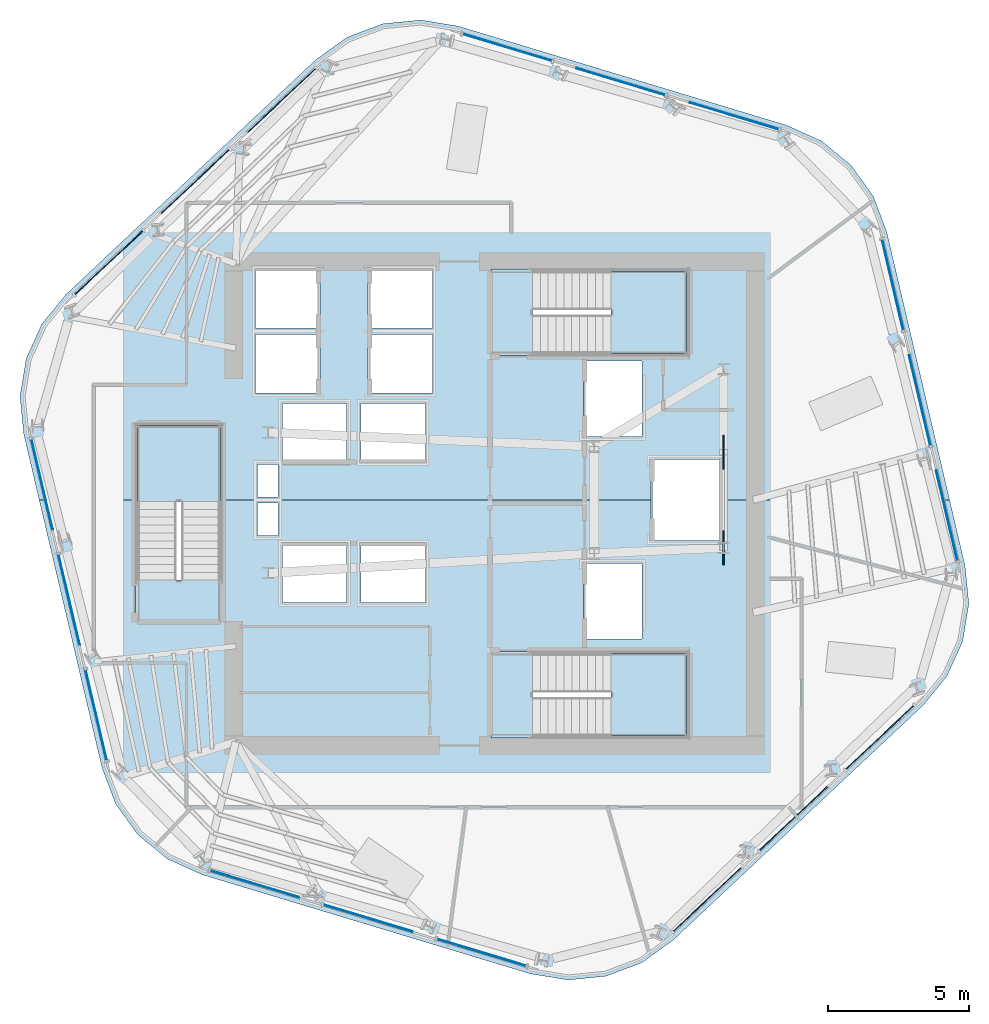
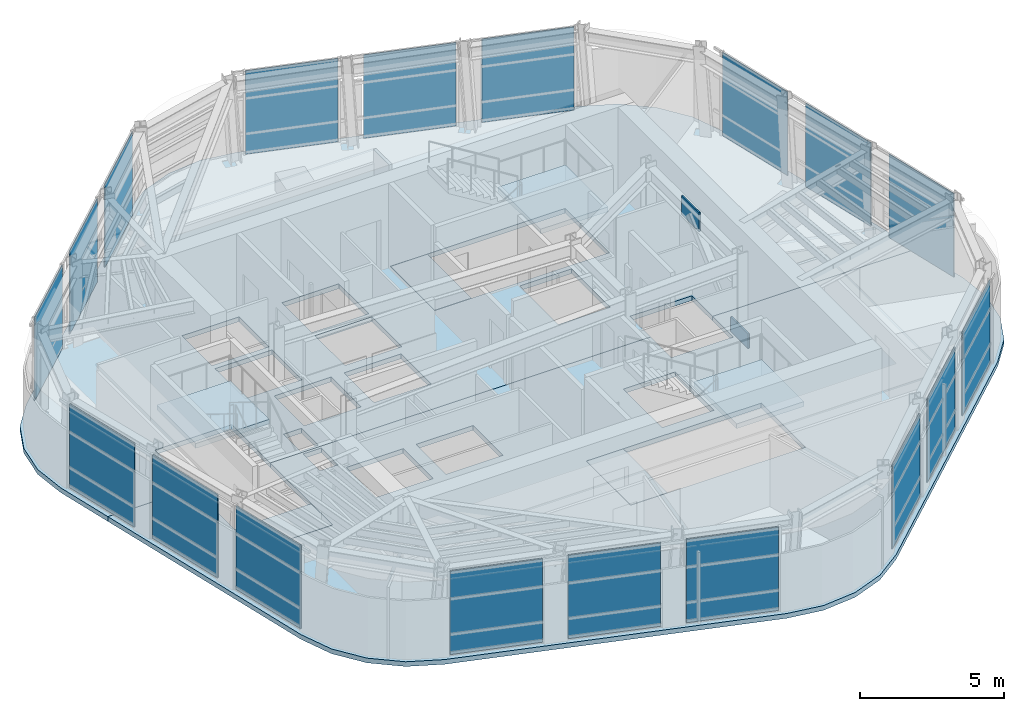
# One storey, part 6 of 14: 20 plates, 8 slabs, 9 elements without a shape of their own.
"""IFC4 building model written with IfcOpenShell, lengths in metres."""

import ifcopenshell
import ifcopenshell.guid

model = None  # the IFC model being written
_history = None  # IfcOwnerHistory: only IFC2X3 demands one
_inside = {}  # id of a spatial element -> (the spatial element, [elements in it])
_under = {}  # id of a project, library or spatial element -> (it, [spatial elements below it])
_declared = {}  # id of a project -> (the project, [libraries it declares])
_typed = {}  # id of a type object -> (the type object, [elements of that type])
_made_of = {}  # id of a material, layer set ... -> (it, [elements and type objects made of it])


def new_model(schema):
    """Start an empty IFC model of exactly this schema.

    Asked for "IFC4X3", IfcOpenShell would pick the latest addendum, in which some entities
    have other attributes; the version numbers below select the first issue.
    IFC2X3 requires an IfcOwnerHistory on every rooted entity: one is made here for all.
    """
    global model, _history
    if schema == "IFC4X3":
        model = ifcopenshell.file(schema_version=(4, 3, 0, 0))
    else:
        model = ifcopenshell.file(schema=schema)
    _inside.clear()
    _under.clear()
    _declared.clear()
    _typed.clear()
    _made_of.clear()
    _history = None
    if model.schema == "IFC2X3":
        org = make("IfcOrganization", Name="unknown")
        user = make(
            "IfcPersonAndOrganization",
            ThePerson=make("IfcPerson", FamilyName="unknown"),
            TheOrganization=org,
        )
        app = make(
            "IfcApplication",
            ApplicationDeveloper=org,
            Version="unknown",
            ApplicationFullName="unknown",
            ApplicationIdentifier="unknown",
        )
        _history = make(
            "IfcOwnerHistory",
            OwningUser=user,
            OwningApplication=app,
            ChangeAction="ADDED",
            CreationDate=0,
        )
    return model


def make(cls, **values):
    """One entity of the class cls with the attributes given. An attribute that is None is left unset."""
    return model.create_entity(
        cls, **{name: value for name, value in values.items() if value is not None}
    )


def rooted(cls, **values):
    """An entity with a GlobalId (a new one), such as an element, a storey or a relation."""
    return make(cls, GlobalId=ifcopenshell.guid.new(), OwnerHistory=_history, **values)


def si_unit(unit_type, name, prefix=None):
    """IfcSIUnit, for example si_unit("LENGTHUNIT", "METRE", prefix="MILLI")."""
    return make("IfcSIUnit", UnitType=unit_type, Prefix=prefix, Name=name)


def assignment(units):
    """IfcUnitAssignment: the units of a project."""
    return None if units is None else make("IfcUnitAssignment", Units=units)


def point(xyz):
    """IfcCartesianPoint."""
    return None if xyz is None else make("IfcCartesianPoint", Coordinates=xyz)


def direction(xyz):
    """IfcDirection."""
    return None if xyz is None else make("IfcDirection", DirectionRatios=xyz)


def frame(location, z_axis=None, x_axis=None):
    """IfcAxis2Placement3D, a coordinate frame: its origin and axes. An axis left out is left unset."""
    return make(
        "IfcAxis2Placement3D",
        Location=point(location),
        Axis=direction(z_axis),
        RefDirection=direction(x_axis),
    )


def frame_2d(location, x_axis=None):
    """IfcAxis2Placement2D, a coordinate frame in the plane: its origin and x axis."""
    return make(
        "IfcAxis2Placement2D", Location=point(location), RefDirection=direction(x_axis)
    )


def origin():
    """The frame at (0, 0, 0) with its axes left unset."""
    return frame((0.0, 0.0, 0.0))


def origin_2d():
    """The frame at (0, 0) in the plane with its x axis left unset."""
    return frame_2d((0.0, 0.0))


def place(relative_to, where):
    """IfcLocalPlacement: puts the frame where relative to a parent placement (None: the world)."""
    return make(
        "IfcLocalPlacement", PlacementRelTo=relative_to, RelativePlacement=where
    )


def context(
    kind, dimensions, precision=None, world=None, true_north=None, identifier=None
):
    """IfcGeometricRepresentationContext, for example the 3D "Model" context."""
    return make(
        "IfcGeometricRepresentationContext",
        ContextIdentifier=identifier,
        ContextType=kind,
        CoordinateSpaceDimension=dimensions,
        Precision=precision,
        WorldCoordinateSystem=world,
        TrueNorth=true_north,
    )


def subcontext(parent, identifier, kind, view, scale=None):
    """IfcGeometricRepresentationSubContext, for example "Body" below "Model"."""
    return make(
        "IfcGeometricRepresentationSubContext",
        ContextIdentifier=identifier,
        ContextType=kind,
        ParentContext=parent,
        TargetScale=scale,
        TargetView=view,
    )


def project(units=None, contexts=None):
    """IfcProject with its units and contexts."""
    return rooted(
        "IfcProject",
        Name="project",
        RepresentationContexts=contexts,
        UnitsInContext=assignment(units),
    )


def spatial(cls, under=None, at=None, **own):
    """A site, building, storey or space (cls), placed at a placement, below another one or the project."""
    s = rooted(cls, ObjectPlacement=at, **own)
    if under is not None:
        _under.setdefault(under.id(), (under, []))[1].append(s)
    return s


def polyline(points):
    """IfcPolyline through the points."""
    return make("IfcPolyline", Points=[point(p) for p in points])


def profile(cls, at=None, kind="AREA", **sizes):
    """A parametric profile (cls). Its sizes go by their IFC names, for example OverallWidth=200.0."""
    return make(cls, ProfileType=kind, Position=at, **sizes)


def rectangle(**sizes):
    """IfcRectangleProfileDef."""
    return profile("IfcRectangleProfileDef", **sizes)


def outline(outer, holes=None, kind="AREA"):
    """IfcArbitraryClosedProfileDef: a profile drawn as a closed curve; with holes, ...WithVoids."""
    if holes is None:
        return make("IfcArbitraryClosedProfileDef", ProfileType=kind, OuterCurve=outer)
    return make(
        "IfcArbitraryProfileDefWithVoids",
        ProfileType=kind,
        OuterCurve=outer,
        InnerCurves=holes,
    )


def extrude(swept, where, along, depth):
    """IfcExtrudedAreaSolid: the profile swept, set in the frame where, extruded along a direction by depth."""
    return make(
        "IfcExtrudedAreaSolid",
        SweptArea=swept,
        Position=where,
        ExtrudedDirection=direction(along),
        Depth=depth,
    )


def shape(context_of_items, identifier, shape_type, items):
    """IfcShapeRepresentation: the items that make up one representation, for example the "Body"."""
    return make(
        "IfcShapeRepresentation",
        ContextOfItems=context_of_items,
        RepresentationIdentifier=identifier,
        RepresentationType=shape_type,
        Items=items,
    )


def material(Name=None, Category=None):
    """IfcMaterial."""
    return make("IfcMaterial", Name=Name, Category=Category)


def layer(
    of_material, thickness, ventilated=None, Name=None, Category=None, Priority=None
):
    """IfcMaterialLayer: one layer of a wall or slab, of a material (None: an air gap)."""
    return make(
        "IfcMaterialLayer",
        Material=of_material,
        LayerThickness=thickness,
        IsVentilated=ventilated,
        Name=Name,
        Category=Category,
        Priority=Priority,
    )


def layer_set(layers, Name=None):
    """IfcMaterialLayerSet."""
    return make("IfcMaterialLayerSet", MaterialLayers=layers, LayerSetName=Name)


def made_of(thing, what):
    """Note that an element or type object is made of a material, layer set ...; save() writes the relation."""
    if what is not None:
        _made_of.setdefault(what.id(), (what, []))[1].append(thing)
    return thing


def type_object(cls, material=None, **own):
    """A type object (cls), such as IfcWallType, which elements share."""
    return made_of(rooted(cls, **own), material)


def element(
    cls,
    number,
    at=None,
    inside=None,
    cuts=None,
    type_object=None,
    material=None,
    context=None,
    identifier="Body",
    shape_type=None,
    held_by="IfcProductDefinitionShape",
    body=None,
    shapes=None,
    **own,
):
    """One element of the class cls, such as IfcWall. Its Tag is "e" and its number.

    at: its placement. inside: the storey or other place that contains it. cuts: it is an
    opening in that element (IfcRelVoidsElement). A single representation is given by context,
    identifier, shape_type and body (its items); several are given by shapes. held_by: the class
    of the entity that holds the representations. save() writes the other relations.
    """
    e = rooted(cls, Tag="e%d" % number, ObjectPlacement=at, **own)
    if body is not None:
        shapes = [shape(context, identifier, shape_type, body)]
    if shapes is not None:
        e.Representation = make(held_by, Representations=shapes)
    if inside is not None:
        _inside.setdefault(inside.id(), (inside, []))[1].append(e)
    if cuts is not None:
        rooted(
            "IfcRelVoidsElement", RelatingBuildingElement=cuts, RelatedOpeningElement=e
        )
    if type_object is not None:
        _typed.setdefault(type_object.id(), (type_object, []))[1].append(e)
    return made_of(e, material)


def aggregate(whole, parts):
    """IfcRelAggregates: a whole, such as a stair, and the parts it consists of."""
    return rooted("IfcRelAggregates", RelatingObject=whole, RelatedObjects=parts)


def save(model, path):
    """Write the relations noted so far, then the file.

    IfcRelAggregates (storeys below a building ...), IfcRelContainedInSpatialStructure (elements
    in a storey), IfcRelDefinesByType, IfcRelAssociatesMaterial and IfcRelDeclares: one each for
    every whole, place, type object, material and project.
    """
    for whole, parts in _under.values():
        aggregate(whole, parts)
    for where, things in _inside.values():
        rooted(
            "IfcRelContainedInSpatialStructure",
            RelatedElements=things,
            RelatingStructure=where,
        )
    for kind, things in _typed.values():
        rooted("IfcRelDefinesByType", RelatedObjects=things, RelatingType=kind)
    for what, things in _made_of.values():
        rooted("IfcRelAssociatesMaterial", RelatedObjects=things, RelatingMaterial=what)
    for by, libraries in _declared.values():
        rooted("IfcRelDeclares", RelatingContext=by, RelatedDefinitions=libraries)
    model.write(path)


model = new_model("IFC4")

# Units and contexts
model_context = context("Model", 3, precision=1e-05, world=origin(), true_north=direction((0.0, 1.0)))
body_context = subcontext(model_context, "Body", "Model", "MODEL_VIEW")
ifc_project = project(units=[si_unit("LENGTHUNIT", "METRE"), si_unit("AREAUNIT", "SQUARE_METRE"), si_unit("VOLUMEUNIT", "CUBIC_METRE"), si_unit("PLANEANGLEUNIT", "RADIAN"), si_unit("MASSUNIT", "GRAM", prefix="KILO")], contexts=[model_context])

# Site, building, storey
site_placement = place(None, origin())
site = spatial("IfcSite", under=ifc_project, at=site_placement, CompositionType="ELEMENT")
building_placement = place(site_placement, origin())
building = spatial("IfcBuilding", under=site, at=building_placement, Name="Valkerne Bourse Tower", CompositionType="ELEMENT")
storey_placement = place(building_placement, frame((0.0, 0.0, 209.39990234375)))
storey = spatial("IfcBuildingStorey", under=building, at=storey_placement, Name="L53", CompositionType="ELEMENT", Elevation=209.39990234375)

# Curtain wall, plates
ifc_material_1 = material(Name="Aluminium AA 6063-T6", Category="aluminium")
ifc_layer_1 = layer(ifc_material_1, 0.239990234375)
ifc_layer_set_1 = layer_set([ifc_layer_1], Name="Aluminium AA 6063-T6")
curtain_wall_type = type_object("IfcCurtainWallType", Name="CW-04", PredefinedType="NOTDEFINED", material=ifc_layer_set_1)
curtain_wall_1_placement = place(storey_placement, origin())
curtain_wall_1 = element("IfcCurtainWall", 1, at=curtain_wall_1_placement, inside=storey, type_object=curtain_wall_type, Name="L53 Hexagonal Stick Curtain Wall Face 1", PredefinedType="NOTDEFINED")
ifc_material_2 = material(Name="Glass IGU Low-E Double Glazed", Category="glass")
ifc_layer_2 = layer(ifc_material_2, 0.031982421875)
ifc_layer_set_2 = layer_set([ifc_layer_2], Name="Glass IGU Low-E Double Glazed")
plate_type_1 = type_object("IfcPlateType", Name="CW-PNL-IGU-32", PredefinedType="CURTAIN_PANEL", material=ifc_layer_set_2)
plate_1_placement = place(storey_placement, frame((55.323486328125, 40.658203125, 0.030029296875), z_axis=(0.0, 0.0, 1.0), x_axis=(-0.957321018034, 0.289026760752, 0.0)))
plate_1 = element("IfcPlate", 2, at=plate_1_placement, type_object=plate_type_1, Name="CW-L53-F1 Curtain Panel 00", PredefinedType="CURTAIN_PANEL", context=body_context, shape_type="SweptSolid", body=[
    extrude(rectangle(XDim=3.2919921875, YDim=0.031982421875, at=origin_2d()), origin(), (0.0, 0.0, 1.0), 3.5400390625),
])
plate_2_placement = place(storey_placement, frame((51.291259765625, 41.87548828125, 0.030029296875), z_axis=(0.0, 0.0, 1.0), x_axis=(-0.957319034703, 0.289033329904, 0.0)))
plate_2 = element("IfcPlate", 3, at=plate_2_placement, type_object=plate_type_1, Name="CW-L53-F1 Curtain Panel 01", PredefinedType="CURTAIN_PANEL", context=body_context, shape_type="SweptSolid", body=[
    extrude(rectangle(XDim=3.2919921875, YDim=0.031982421875, at=origin_2d()), origin(), (0.0, 0.0, 1.0), 3.5400390625),
])
plate_3_placement = place(storey_placement, frame((47.2587890625, 43.093017578125, 0.030029296875), z_axis=(0.0, 0.0, 1.0), x_axis=(-0.957319034703, 0.289033329904, 0.0)))
plate_3 = element("IfcPlate", 4, at=plate_3_placement, type_object=plate_type_1, Name="CW-L53-F1 Curtain Panel 02", PredefinedType="CURTAIN_PANEL", context=body_context, shape_type="SweptSolid", body=[
    extrude(rectangle(XDim=3.2919921875, YDim=0.031982421875, at=origin_2d()), origin(), (0.0, 0.0, 1.0), 3.5400390625),
])
aggregate(curtain_wall_1, [plate_1, plate_2, plate_3])

curtain_wall_2_placement = place(storey_placement, origin())
curtain_wall_2 = element("IfcCurtainWall", 5, at=curtain_wall_2_placement, inside=storey, type_object=curtain_wall_type, Name="L53 Hexagonal Stick Curtain Wall Face 2", PredefinedType="NOTDEFINED")
plate_4_placement = place(storey_placement, frame((39.2333984375, 41.210693359375, 0.030029296875), z_axis=(0.0, 0.0, 1.0), x_axis=(-0.728968333355, -0.684547419077, 0.0)))
plate_4 = element("IfcPlate", 6, at=plate_4_placement, type_object=plate_type_1, Name="CW-L53-F2 Curtain Panel 00", PredefinedType="CURTAIN_PANEL", context=body_context, shape_type="SweptSolid", body=[
    extrude(rectangle(XDim=3.2919921875, YDim=0.031982421875, at=origin_2d()), origin(), (0.0, 0.0, 1.0), 3.5400390625),
])
plate_5_placement = place(storey_placement, frame((36.1630859375, 38.327392578125, 0.030029296875), z_axis=(0.0, 0.0, 1.0), x_axis=(-0.728979458595, -0.684535571717, 0.0)))
plate_5 = element("IfcPlate", 7, at=plate_5_placement, type_object=plate_type_1, Name="CW-L53-F2 Curtain Panel 01", PredefinedType="CURTAIN_PANEL", context=body_context, shape_type="SweptSolid", body=[
    extrude(rectangle(XDim=3.2919921875, YDim=0.031982421875, at=origin_2d()), origin(), (0.0, 0.0, 1.0), 3.5400390625),
])
plate_6_placement = place(storey_placement, frame((33.092529296875, 35.444091796875, 0.030029296875), z_axis=(0.0, 0.0, 1.0), x_axis=(-0.728956485952, -0.684560035051, 0.0)))
plate_6 = element("IfcPlate", 8, at=plate_6_placement, type_object=plate_type_1, Name="CW-L53-F2 Curtain Panel 02", PredefinedType="CURTAIN_PANEL", context=body_context, shape_type="SweptSolid", body=[
    extrude(rectangle(XDim=3.2919921875, YDim=0.031982421875, at=origin_2d()), origin(), (0.0, 0.0, 1.0), 3.5400390625),
])
aggregate(curtain_wall_2, [plate_4, plate_5, plate_6])

curtain_wall_3_placement = place(storey_placement, origin())
curtain_wall_3 = element("IfcCurtainWall", 9, at=curtain_wall_3_placement, inside=storey, type_object=curtain_wall_type, Name="L53 Hexagonal Stick Curtain Wall Face 3", PredefinedType="NOTDEFINED")
plate_7_placement = place(storey_placement, frame((30.7099609375, 27.552490234375, 0.030029296875), z_axis=(0.0, 0.0, 1.0), x_axis=(0.228348506824, -0.973579457174, 0.0)))
plate_7 = element("IfcPlate", 10, at=plate_7_placement, type_object=plate_type_1, Name="CW-L53-F3 Curtain Panel 00", PredefinedType="CURTAIN_PANEL", context=body_context, shape_type="SweptSolid", body=[
    extrude(rectangle(XDim=3.2919921875, YDim=0.031982421875, at=origin_2d()), origin(), (0.0, 0.0, 1.0), 3.5400390625),
])
plate_8_placement = place(storey_placement, frame((31.671875, 23.451904296875, 0.030029296875), z_axis=(0.0, 0.0, 1.0), x_axis=(0.228348506824, -0.973579457174, 0.0)))
plate_8 = element("IfcPlate", 11, at=plate_8_placement, type_object=plate_type_1, Name="CW-L53-F3 Curtain Panel 01", PredefinedType="CURTAIN_PANEL", context=body_context, shape_type="SweptSolid", body=[
    extrude(rectangle(XDim=3.2919921875, YDim=0.031982421875, at=origin_2d()), origin(), (0.0, 0.0, 1.0), 3.5400390625),
])
plate_9_placement = place(storey_placement, frame((32.633544921875, 19.35107421875, 0.030029296875), z_axis=(0.0, 0.0, 1.0), x_axis=(0.228348506824, -0.973579457174, 0.0)))
plate_9 = element("IfcPlate", 12, at=plate_9_placement, type_object=plate_type_1, Name="CW-L53-F3 Curtain Panel 02", PredefinedType="CURTAIN_PANEL", context=body_context, shape_type="SweptSolid", body=[
    extrude(rectangle(XDim=3.2919921875, YDim=0.031982421875, at=origin_2d()), origin(), (0.0, 0.0, 1.0), 3.5400390625),
])
aggregate(curtain_wall_3, [plate_7, plate_8, plate_9])

curtain_wall_4_placement = place(storey_placement, origin())
curtain_wall_4 = element("IfcCurtainWall", 13, at=curtain_wall_4_placement, inside=storey, type_object=curtain_wall_type, Name="L53 Hexagonal Stick Curtain Wall Face 4", PredefinedType="NOTDEFINED")
plate_10_placement = place(storey_placement, frame((38.276611328125, 13.341796875, 0.030029296875), z_axis=(0.0, 0.0, 1.0), x_axis=(0.957321018034, -0.289026760752, 0.0)))
plate_10 = element("IfcPlate", 14, at=plate_10_placement, type_object=plate_type_1, Name="CW-L53-F4 Curtain Panel 00", PredefinedType="CURTAIN_PANEL", context=body_context, shape_type="SweptSolid", body=[
    extrude(rectangle(XDim=3.2919921875, YDim=0.031982421875, at=origin_2d()), origin(), (0.0, 0.0, 1.0), 3.5400390625),
])
plate_11_placement = place(storey_placement, frame((42.308837890625, 12.12451171875, 0.030029296875), z_axis=(0.0, 0.0, 1.0), x_axis=(0.957319034703, -0.289033329904, 0.0)))
plate_11 = element("IfcPlate", 15, at=plate_11_placement, type_object=plate_type_1, Name="CW-L53-F4 Curtain Panel 01", PredefinedType="CURTAIN_PANEL", context=body_context, shape_type="SweptSolid", body=[
    extrude(rectangle(XDim=3.2919921875, YDim=0.031982421875, at=origin_2d()), origin(), (0.0, 0.0, 1.0), 3.5400390625),
])
plate_12_placement = place(storey_placement, frame((46.341064453125, 10.906982421875, 0.030029296875), z_axis=(0.0, 0.0, 1.0), x_axis=(0.957319034703, -0.289033329904, 0.0)))
plate_12 = element("IfcPlate", 16, at=plate_12_placement, type_object=plate_type_1, Name="CW-L53-F4 Curtain Panel 02", PredefinedType="CURTAIN_PANEL", context=body_context, shape_type="SweptSolid", body=[
    extrude(rectangle(XDim=3.2919921875, YDim=0.031982421875, at=origin_2d()), origin(), (0.0, 0.0, 1.0), 3.5400390625),
])
aggregate(curtain_wall_4, [plate_10, plate_11, plate_12])

curtain_wall_5_placement = place(storey_placement, origin())
curtain_wall_5 = element("IfcCurtainWall", 17, at=curtain_wall_5_placement, inside=storey, type_object=curtain_wall_type, Name="L53 Hexagonal Stick Curtain Wall Face 5", PredefinedType="NOTDEFINED")
plate_13_placement = place(storey_placement, frame((54.36669921875, 12.789306640625, 0.030029296875), z_axis=(0.0, 0.0, 1.0), x_axis=(0.728968333355, 0.684547419077, 0.0)))
plate_13 = element("IfcPlate", 18, at=plate_13_placement, type_object=plate_type_1, Name="CW-L53-F5 Curtain Panel 00", PredefinedType="CURTAIN_PANEL", context=body_context, shape_type="SweptSolid", body=[
    extrude(rectangle(XDim=3.2919921875, YDim=0.031982421875, at=origin_2d()), origin(), (0.0, 0.0, 1.0), 3.5400390625),
])
plate_14_placement = place(storey_placement, frame((57.43701171875, 15.672607421875, 0.030029296875), z_axis=(0.0, 0.0, 1.0), x_axis=(0.728979458595, 0.684535571717, 0.0)))
plate_14 = element("IfcPlate", 19, at=plate_14_placement, type_object=plate_type_1, Name="CW-L53-F5 Curtain Panel 01", PredefinedType="CURTAIN_PANEL", context=body_context, shape_type="SweptSolid", body=[
    extrude(rectangle(XDim=3.2919921875, YDim=0.031982421875, at=origin_2d()), origin(), (0.0, 0.0, 1.0), 3.5400390625),
])
plate_15_placement = place(storey_placement, frame((60.50732421875, 18.555908203125, 0.030029296875), z_axis=(0.0, 0.0, 1.0), x_axis=(0.728956485952, 0.684560035051, 0.0)))
plate_15 = element("IfcPlate", 20, at=plate_15_placement, type_object=plate_type_1, Name="CW-L53-F5 Curtain Panel 02", PredefinedType="CURTAIN_PANEL", context=body_context, shape_type="SweptSolid", body=[
    extrude(rectangle(XDim=3.2919921875, YDim=0.031982421875, at=origin_2d()), origin(), (0.0, 0.0, 1.0), 3.5400390625),
])
aggregate(curtain_wall_5, [plate_13, plate_14, plate_15])

curtain_wall_6_placement = place(storey_placement, origin())
curtain_wall_6 = element("IfcCurtainWall", 21, at=curtain_wall_6_placement, inside=storey, type_object=curtain_wall_type, Name="L53 Hexagonal Stick Curtain Wall Face 6", PredefinedType="NOTDEFINED")
plate_16_placement = place(storey_placement, frame((62.889892578125, 26.447509765625, 0.030029296875), z_axis=(0.0, 0.0, 1.0), x_axis=(-0.228348506824, 0.973579457174, 0.0)))
plate_16 = element("IfcPlate", 22, at=plate_16_placement, type_object=plate_type_1, Name="CW-L53-F6 Curtain Panel 00", PredefinedType="CURTAIN_PANEL", context=body_context, shape_type="SweptSolid", body=[
    extrude(rectangle(XDim=3.2919921875, YDim=0.031982421875, at=origin_2d()), origin(), (0.0, 0.0, 1.0), 3.5400390625),
])
plate_17_placement = place(storey_placement, frame((61.92822265625, 30.54833984375, 0.030029296875), z_axis=(0.0, 0.0, 1.0), x_axis=(-0.228348506824, 0.973579457174, 0.0)))
plate_17 = element("IfcPlate", 23, at=plate_17_placement, type_object=plate_type_1, Name="CW-L53-F6 Curtain Panel 01", PredefinedType="CURTAIN_PANEL", context=body_context, shape_type="SweptSolid", body=[
    extrude(rectangle(XDim=3.2919921875, YDim=0.031982421875, at=origin_2d()), origin(), (0.0, 0.0, 1.0), 3.5400390625),
])
plate_18_placement = place(storey_placement, frame((60.96630859375, 34.64892578125, 0.030029296875), z_axis=(0.0, 0.0, 1.0), x_axis=(-0.228348506824, 0.973579457174, 0.0)))
plate_18 = element("IfcPlate", 24, at=plate_18_placement, type_object=plate_type_1, Name="CW-L53-F6 Curtain Panel 02", PredefinedType="CURTAIN_PANEL", context=body_context, shape_type="SweptSolid", body=[
    extrude(rectangle(XDim=3.2919921875, YDim=0.031982421875, at=origin_2d()), origin(), (0.0, 0.0, 1.0), 3.5400390625),
])
aggregate(curtain_wall_6, [plate_16, plate_17, plate_18])

# Plates
ifc_material_3 = material(Name="Steel ASTM A572 Grade 50", Category="steel")
ifc_layer_3 = layer(ifc_material_3, 0.06005859375)
ifc_layer_set_3 = layer_set([ifc_layer_3], Name="Steel ASTM A572 Grade 50")
plate_type_2 = type_object("IfcPlateType", Name="PLT-GUS-60", PredefinedType="SHEET", material=ifc_layer_set_3)
for number, where, z_axis, x_axis, name in (
    (25, (54.949951171875, 25.300048828125, -0.1796875), (0.0, 0.0, 1.0), (0.0, 1.0, 0.0), "L53 Brace Node Gusset Plate PLT-GUS-END-L53-422"),
    (26, (54.949951171875, 28.699951171875, 2.89404296875), (0.0, 0.0, 1.0), (0.0, 1.0, 0.0), "L53 Brace Node Gusset Plate PLT-GUS-END-L53-423"),
):
    element("IfcPlate", number, at=place(storey_placement, frame(where, z_axis=z_axis, x_axis=x_axis)), inside=storey, type_object=plate_type_2, Name=name, PredefinedType="SHEET", context=body_context, shape_type="SweptSolid", body=[
        extrude(rectangle(XDim=1.199951171875, YDim=0.06005859375, at=origin_2d()), origin(), (0.0, 0.0, 1.0), 0.800048828125),
    ])

# Slabs
ifc_material_4 = material(Name="Concrete C40/50", Category="concrete")
ifc_layer_4 = layer(ifc_material_4, 0.25)
ifc_layer_set_4 = layer_set([ifc_layer_4], Name="Concrete C40/50")
slab_type_1 = type_object("IfcSlabType", Name="SLB-RMP-LND-250", PredefinedType="LANDING", material=ifc_layer_set_4)
slab_1_placement = place(storey_placement, frame((0.0, 0.0, -0.199951171875)))
element("IfcSlab", 27, at=slab_1_placement, inside=storey, type_object=slab_type_1, Name="L53 ST-1 Floor Landing Slab", PredefinedType="LANDING", context=body_context, shape_type="SweptSolid", body=[
    extrude(outline(polyline([(46.669921875, 18.5400390625), (48.14990234375, 18.5400390625), (48.14990234375, 21.610107421875), (46.669921875, 21.610107421875), (46.669921875, 18.5400390625)])), origin(), (0.0, 0.0, 1.0), 0.199951171875),
])
slab_2_placement = place(storey_placement, frame((0.0, 0.0, -0.199951171875)))
element("IfcSlab", 28, at=slab_2_placement, inside=storey, type_object=slab_type_1, Name="L53 ST-2 Floor Landing Slab", PredefinedType="LANDING", context=body_context, shape_type="SweptSolid", body=[
    extrude(outline(polyline([(46.669921875, 32.139892578125), (48.14990234375, 32.139892578125), (48.14990234375, 35.2099609375), (46.669921875, 35.2099609375), (46.669921875, 32.139892578125)])), origin(), (0.0, 0.0, 1.0), 0.199951171875),
])
slab_3_placement = place(storey_placement, frame((0.0, 0.0, -0.199951171875)))
element("IfcSlab", 29, at=slab_3_placement, inside=storey, type_object=slab_type_1, Name="L53 ST-3 Floor Landing Slab", PredefinedType="LANDING", context=body_context, shape_type="SweptSolid", body=[
    extrude(outline(polyline([(37.110107421875, 22.669921875), (37.110107421875, 24.14990234375), (34.0400390625, 24.14990234375), (34.0400390625, 22.669921875), (37.110107421875, 22.669921875)])), origin(), (0.0, 0.0, 1.0), 0.199951171875),
])

# Stair, slab
stair_type = type_object("IfcStairType", Name="ST-CORE-1400", PredefinedType="HALF_TURN_STAIR", material=ifc_material_4)
stair_1_placement = place(storey_placement, origin())
stair_1 = element("IfcStair", 30, at=stair_1_placement, inside=storey, type_object=stair_type, Name="L53 ST-1", PredefinedType="HALF_TURN_STAIR")
ifc_layer_5 = layer(ifc_material_4, 0.179931640625)
ifc_layer_set_5 = layer_set([ifc_layer_5], Name="Concrete C40/50")
slab_type_2 = type_object("IfcSlabType", Name="SLB-ST-LND-180", PredefinedType="LANDING", material=ifc_layer_set_5)
slab_4_placement = place(storey_placement, frame((0.0, 0.0, 1.7001953125)))
slab_4 = element("IfcSlab", 31, at=slab_4_placement, type_object=slab_type_2, Name="ST-1 landing 1", PredefinedType="LANDING", context=body_context, shape_type="SweptSolid", body=[
    extrude(outline(polyline([(50.949951171875, 18.60009765625), (53.64990234375, 18.60009765625), (53.64990234375, 21.550048828125), (50.949951171875, 21.550048828125), (50.949951171875, 18.60009765625)])), origin(), (0.0, 0.0, 1.0), 0.199951171875),
])
aggregate(stair_1, [slab_4])

stair_2_placement = place(storey_placement, origin())
stair_2 = element("IfcStair", 32, at=stair_2_placement, inside=storey, type_object=stair_type, Name="L53 ST-2", PredefinedType="HALF_TURN_STAIR")
slab_5_placement = place(storey_placement, frame((0.0, 0.0, 1.7001953125)))
slab_5 = element("IfcSlab", 33, at=slab_5_placement, type_object=slab_type_2, Name="ST-2 landing 1", PredefinedType="LANDING", context=body_context, shape_type="SweptSolid", body=[
    extrude(outline(polyline([(50.949951171875, 32.199951171875), (53.64990234375, 32.199951171875), (53.64990234375, 35.14990234375), (50.949951171875, 35.14990234375), (50.949951171875, 32.199951171875)])), origin(), (0.0, 0.0, 1.0), 0.199951171875),
])
aggregate(stair_2, [slab_5])

stair_3_placement = place(storey_placement, origin())
stair_3 = element("IfcStair", 34, at=stair_3_placement, inside=storey, type_object=stair_type, Name="L53 ST-3", PredefinedType="HALF_TURN_STAIR")
slab_6_placement = place(storey_placement, frame((0.0, 0.0, 1.7001953125)))
slab_6 = element("IfcSlab", 35, at=slab_6_placement, type_object=slab_type_2, Name="ST-3 landing 1", PredefinedType="LANDING", context=body_context, shape_type="SweptSolid", body=[
    extrude(outline(polyline([(37.050048828125, 26.949951171875), (37.050048828125, 29.64990234375), (34.10009765625, 29.64990234375), (34.10009765625, 26.949951171875), (37.050048828125, 26.949951171875)])), origin(), (0.0, 0.0, 1.0), 0.199951171875),
])
aggregate(stair_3, [slab_6])

# Slabs
ifc_layer_6 = layer(ifc_material_4, 0.199951171875)
ifc_layer_set_6 = layer_set([ifc_layer_6], Name="Concrete C40/50")
slab_type_3 = type_object("IfcSlabType", Name="SLB-TOW-200", PredefinedType="FLOOR", material=ifc_layer_set_6)
slab_7_placement = place(storey_placement, frame((0.0, 0.0, -0.199951171875)))
element("IfcSlab", 36, at=slab_7_placement, inside=storey, type_object=slab_type_3, Name="L53 Hexagonal Composite Floor Slab S", PredefinedType="FLOOR", context=body_context, shape_type="SweptSolid", body=[
    extrude(outline(polyline([(63.672607421875, 23.311767578125), (63.453125, 21.97216796875), (62.89453125, 20.73486328125), (62.03466796875, 19.6845703125), (53.14453125, 11.3359375), (52.0419921875, 10.5439453125), (50.772216796875, 10.064208984375), (49.42138671875, 9.92919921875), (48.081787109375, 10.148681640625), (36.406982421875, 13.673583984375), (35.169677734375, 14.232177734375), (34.119140625, 15.091796875), (33.326904296875, 16.1943359375), (32.84716796875, 17.464111328125), (30.610595703125, 27.0), (34.034912109375, 27.0), (34.034912109375, 22.6650390625), (37.114990234375, 22.6650390625), (37.114990234375, 27.0), (52.360107421875, 27.0), (52.360107421875, 25.56005859375), (54.840087890625, 25.56005859375), (54.840087890625, 27.0), (62.989501953125, 27.0), (63.53759765625, 24.66259765625), (63.672607421875, 23.311767578125)]), holes=[polyline([(41.5400390625, 25.43994140625), (39.260009765625, 25.43994140625), (39.260009765625, 23.360107421875), (41.5400390625, 23.360107421875), (41.5400390625, 25.43994140625)]), polyline([(44.340087890625, 25.43994140625), (42.06005859375, 25.43994140625), (42.06005859375, 23.360107421875), (44.340087890625, 23.360107421875), (44.340087890625, 25.43994140625)]), polyline([(39.10009765625, 26.89990234375), (38.3798828125, 26.89990234375), (38.3798828125, 25.72998046875), (39.10009765625, 25.72998046875), (39.10009765625, 26.89990234375)]), polyline([(53.675048828125, 21.614990234375), (46.6650390625, 21.614990234375), (46.6650390625, 18.534912109375), (53.675048828125, 18.534912109375), (53.675048828125, 21.614990234375)]), polyline([(52.0400390625, 24.739990234375), (49.9599609375, 24.739990234375), (49.9599609375, 22.06005859375), (52.0400390625, 22.06005859375), (52.0400390625, 24.739990234375)])]), origin(), (0.0, 0.0, 1.0), 0.199951171875),
])
slab_8_placement = place(storey_placement, frame((0.0, 0.0, -0.199951171875)))
element("IfcSlab", 37, at=slab_8_placement, inside=storey, type_object=slab_type_3, Name="L53 Hexagonal Composite Floor Slab N", PredefinedType="FLOOR", context=body_context, shape_type="SweptSolid", body=[
    extrude(outline(polyline([(30.062255859375, 29.33740234375), (29.927490234375, 30.688232421875), (30.14697265625, 32.02783203125), (30.70556640625, 33.26513671875), (31.565185546875, 34.3154296875), (40.45556640625, 42.6640625), (41.557861328125, 43.4560546875), (42.82763671875, 43.935791015625), (44.178466796875, 44.07080078125), (45.51806640625, 43.851318359375), (57.193115234375, 40.326416015625), (58.430419921875, 39.767822265625), (59.480712890625, 38.908203125), (60.27294921875, 37.8056640625), (60.752685546875, 36.535888671875), (62.989501953125, 27.0), (54.840087890625, 27.0), (54.840087890625, 28.43994140625), (52.360107421875, 28.43994140625), (52.360107421875, 27.0), (37.114990234375, 27.0), (37.114990234375, 29.675048828125), (34.034912109375, 29.675048828125), (34.034912109375, 27.0), (30.610595703125, 27.0), (30.062255859375, 29.33740234375)]), holes=[polyline([(39.10009765625, 28.27001953125), (38.3798828125, 28.27001953125), (38.3798828125, 27.10009765625), (39.10009765625, 27.10009765625), (39.10009765625, 28.27001953125)]), polyline([(41.5400390625, 30.43994140625), (39.260009765625, 30.43994140625), (39.260009765625, 28.360107421875), (41.5400390625, 28.360107421875), (41.5400390625, 30.43994140625)]), polyline([(40.590087890625, 32.889892578125), (38.31005859375, 32.889892578125), (38.31005859375, 30.81005859375), (40.590087890625, 30.81005859375), (40.590087890625, 32.889892578125)]), polyline([(40.590087890625, 35.18994140625), (38.31005859375, 35.18994140625), (38.31005859375, 33.110107421875), (40.590087890625, 33.110107421875), (40.590087890625, 35.18994140625)]), polyline([(44.340087890625, 30.43994140625), (42.06005859375, 30.43994140625), (42.06005859375, 28.360107421875), (44.340087890625, 28.360107421875), (44.340087890625, 30.43994140625)]), polyline([(52.0400390625, 31.93994140625), (49.9599609375, 31.93994140625), (49.9599609375, 29.260009765625), (52.0400390625, 29.260009765625), (52.0400390625, 31.93994140625)]), polyline([(44.590087890625, 32.889892578125), (42.31005859375, 32.889892578125), (42.31005859375, 30.81005859375), (44.590087890625, 30.81005859375), (44.590087890625, 32.889892578125)]), polyline([(53.675048828125, 35.215087890625), (46.6650390625, 35.215087890625), (46.6650390625, 32.135009765625), (53.675048828125, 32.135009765625), (53.675048828125, 35.215087890625)]), polyline([(44.590087890625, 35.18994140625), (42.31005859375, 35.18994140625), (42.31005859375, 33.110107421875), (44.590087890625, 33.110107421875), (44.590087890625, 35.18994140625)])]), origin(), (0.0, 0.0, 1.0), 0.199951171875),
])

save(model, "model.ifc")
